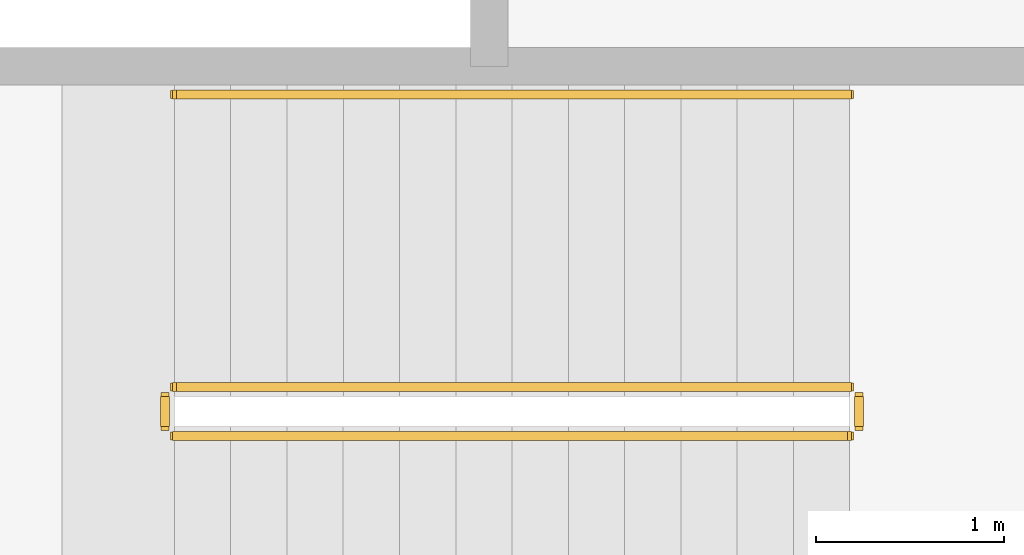
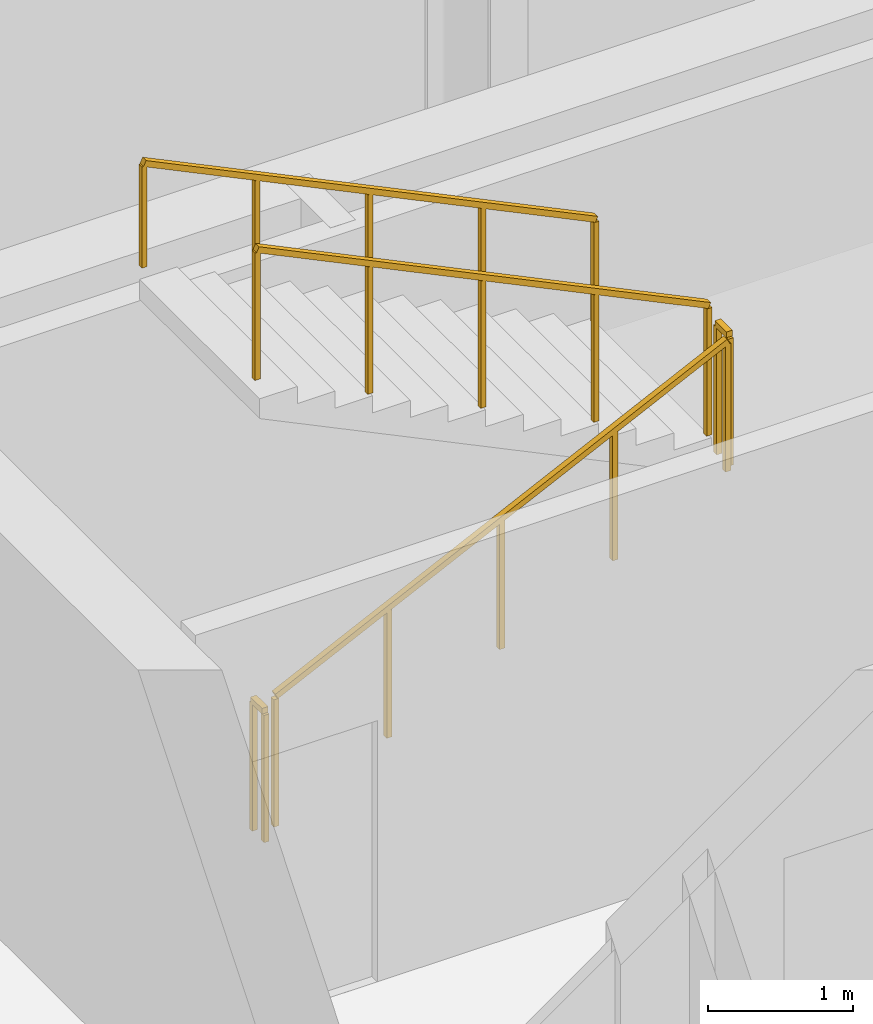
# One storey, part 24 of 25: 5 railings.
"""IFC4 building model written with IfcOpenShell, lengths in metres."""

import ifcopenshell
import ifcopenshell.guid

model = None  # the IFC model being written
_history = None  # IfcOwnerHistory: only IFC2X3 demands one
_inside = {}  # id of a spatial element -> (the spatial element, [elements in it])
_under = {}  # id of a project, library or spatial element -> (it, [spatial elements below it])
_declared = {}  # id of a project -> (the project, [libraries it declares])
_typed = {}  # id of a type object -> (the type object, [elements of that type])
_made_of = {}  # id of a material, layer set ... -> (it, [elements and type objects made of it])


def new_model(schema):
    """Start an empty IFC model of exactly this schema.

    Asked for "IFC4X3", IfcOpenShell would pick the latest addendum, in which some entities
    have other attributes; the version numbers below select the first issue.
    IFC2X3 requires an IfcOwnerHistory on every rooted entity: one is made here for all.
    """
    global model, _history
    if schema == "IFC4X3":
        model = ifcopenshell.file(schema_version=(4, 3, 0, 0))
    else:
        model = ifcopenshell.file(schema=schema)
    _inside.clear()
    _under.clear()
    _declared.clear()
    _typed.clear()
    _made_of.clear()
    _history = None
    if model.schema == "IFC2X3":
        org = make("IfcOrganization", Name="unknown")
        user = make(
            "IfcPersonAndOrganization",
            ThePerson=make("IfcPerson", FamilyName="unknown"),
            TheOrganization=org,
        )
        app = make(
            "IfcApplication",
            ApplicationDeveloper=org,
            Version="unknown",
            ApplicationFullName="unknown",
            ApplicationIdentifier="unknown",
        )
        _history = make(
            "IfcOwnerHistory",
            OwningUser=user,
            OwningApplication=app,
            ChangeAction="ADDED",
            CreationDate=0,
        )
    return model


def make(cls, **values):
    """One entity of the class cls with the attributes given. An attribute that is None is left unset."""
    return model.create_entity(
        cls, **{name: value for name, value in values.items() if value is not None}
    )


def rooted(cls, **values):
    """An entity with a GlobalId (a new one), such as an element, a storey or a relation."""
    return make(cls, GlobalId=ifcopenshell.guid.new(), OwnerHistory=_history, **values)


def si_unit(unit_type, name, prefix=None):
    """IfcSIUnit, for example si_unit("LENGTHUNIT", "METRE", prefix="MILLI")."""
    return make("IfcSIUnit", UnitType=unit_type, Prefix=prefix, Name=name)


def assignment(units):
    """IfcUnitAssignment: the units of a project."""
    return None if units is None else make("IfcUnitAssignment", Units=units)


def point(xyz):
    """IfcCartesianPoint."""
    return None if xyz is None else make("IfcCartesianPoint", Coordinates=xyz)


def direction(xyz):
    """IfcDirection."""
    return None if xyz is None else make("IfcDirection", DirectionRatios=xyz)


def frame(location, z_axis=None, x_axis=None):
    """IfcAxis2Placement3D, a coordinate frame: its origin and axes. An axis left out is left unset."""
    return make(
        "IfcAxis2Placement3D",
        Location=point(location),
        Axis=direction(z_axis),
        RefDirection=direction(x_axis),
    )


def frame_2d(location, x_axis=None):
    """IfcAxis2Placement2D, a coordinate frame in the plane: its origin and x axis."""
    return make(
        "IfcAxis2Placement2D", Location=point(location), RefDirection=direction(x_axis)
    )


def origin():
    """The frame at (0, 0, 0) with its axes left unset."""
    return frame((0.0, 0.0, 0.0))


def origin_2d():
    """The frame at (0, 0) in the plane with its x axis left unset."""
    return frame_2d((0.0, 0.0))


def place(relative_to, where):
    """IfcLocalPlacement: puts the frame where relative to a parent placement (None: the world)."""
    return make(
        "IfcLocalPlacement", PlacementRelTo=relative_to, RelativePlacement=where
    )


def context(
    kind, dimensions, precision=None, world=None, true_north=None, identifier=None
):
    """IfcGeometricRepresentationContext, for example the 3D "Model" context."""
    return make(
        "IfcGeometricRepresentationContext",
        ContextIdentifier=identifier,
        ContextType=kind,
        CoordinateSpaceDimension=dimensions,
        Precision=precision,
        WorldCoordinateSystem=world,
        TrueNorth=true_north,
    )


def subcontext(parent, identifier, kind, view, scale=None):
    """IfcGeometricRepresentationSubContext, for example "Body" below "Model"."""
    return make(
        "IfcGeometricRepresentationSubContext",
        ContextIdentifier=identifier,
        ContextType=kind,
        ParentContext=parent,
        TargetScale=scale,
        TargetView=view,
    )


def project(units=None, contexts=None):
    """IfcProject with its units and contexts."""
    return rooted(
        "IfcProject",
        Name="project",
        RepresentationContexts=contexts,
        UnitsInContext=assignment(units),
    )


def spatial(cls, under=None, at=None, **own):
    """A site, building, storey or space (cls), placed at a placement, below another one or the project."""
    s = rooted(cls, ObjectPlacement=at, **own)
    if under is not None:
        _under.setdefault(under.id(), (under, []))[1].append(s)
    return s


def profile(cls, at=None, kind="AREA", **sizes):
    """A parametric profile (cls). Its sizes go by their IFC names, for example OverallWidth=200.0."""
    return make(cls, ProfileType=kind, Position=at, **sizes)


def rectangle(**sizes):
    """IfcRectangleProfileDef."""
    return profile("IfcRectangleProfileDef", **sizes)


def extrude(swept, where, along, depth):
    """IfcExtrudedAreaSolid: the profile swept, set in the frame where, extruded along a direction by depth."""
    return make(
        "IfcExtrudedAreaSolid",
        SweptArea=swept,
        Position=where,
        ExtrudedDirection=direction(along),
        Depth=depth,
    )


def shape(context_of_items, identifier, shape_type, items):
    """IfcShapeRepresentation: the items that make up one representation, for example the "Body"."""
    return make(
        "IfcShapeRepresentation",
        ContextOfItems=context_of_items,
        RepresentationIdentifier=identifier,
        RepresentationType=shape_type,
        Items=items,
    )


def material(Name=None, Category=None):
    """IfcMaterial."""
    return make("IfcMaterial", Name=Name, Category=Category)


def made_of(thing, what):
    """Note that an element or type object is made of a material, layer set ...; save() writes the relation."""
    if what is not None:
        _made_of.setdefault(what.id(), (what, []))[1].append(thing)
    return thing


def type_object(cls, material=None, **own):
    """A type object (cls), such as IfcWallType, which elements share."""
    return made_of(rooted(cls, **own), material)


def element(
    cls,
    number,
    at=None,
    inside=None,
    cuts=None,
    type_object=None,
    material=None,
    context=None,
    identifier="Body",
    shape_type=None,
    held_by="IfcProductDefinitionShape",
    body=None,
    shapes=None,
    **own,
):
    """One element of the class cls, such as IfcWall. Its Tag is "e" and its number.

    at: its placement. inside: the storey or other place that contains it. cuts: it is an
    opening in that element (IfcRelVoidsElement). A single representation is given by context,
    identifier, shape_type and body (its items); several are given by shapes. held_by: the class
    of the entity that holds the representations. save() writes the other relations.
    """
    e = rooted(cls, Tag="e%d" % number, ObjectPlacement=at, **own)
    if body is not None:
        shapes = [shape(context, identifier, shape_type, body)]
    if shapes is not None:
        e.Representation = make(held_by, Representations=shapes)
    if inside is not None:
        _inside.setdefault(inside.id(), (inside, []))[1].append(e)
    if cuts is not None:
        rooted(
            "IfcRelVoidsElement", RelatingBuildingElement=cuts, RelatedOpeningElement=e
        )
    if type_object is not None:
        _typed.setdefault(type_object.id(), (type_object, []))[1].append(e)
    return made_of(e, material)


def aggregate(whole, parts):
    """IfcRelAggregates: a whole, such as a stair, and the parts it consists of."""
    return rooted("IfcRelAggregates", RelatingObject=whole, RelatedObjects=parts)


def save(model, path):
    """Write the relations noted so far, then the file.

    IfcRelAggregates (storeys below a building ...), IfcRelContainedInSpatialStructure (elements
    in a storey), IfcRelDefinesByType, IfcRelAssociatesMaterial and IfcRelDeclares: one each for
    every whole, place, type object, material and project.
    """
    for whole, parts in _under.values():
        aggregate(whole, parts)
    for where, things in _inside.values():
        rooted(
            "IfcRelContainedInSpatialStructure",
            RelatedElements=things,
            RelatingStructure=where,
        )
    for kind, things in _typed.values():
        rooted("IfcRelDefinesByType", RelatedObjects=things, RelatingType=kind)
    for what, things in _made_of.values():
        rooted("IfcRelAssociatesMaterial", RelatedObjects=things, RelatingMaterial=what)
    for by, libraries in _declared.values():
        rooted("IfcRelDeclares", RelatingContext=by, RelatedDefinitions=libraries)
    model.write(path)


model = new_model("IFC4")

# Units and contexts
model_context = context("Model", 3, precision=1e-05, world=origin(), true_north=direction((0.0, 1.0)))
body_context = subcontext(model_context, "Body", "Model", "MODEL_VIEW")
ifc_project = project(units=[si_unit("LENGTHUNIT", "METRE"), si_unit("AREAUNIT", "SQUARE_METRE"), si_unit("VOLUMEUNIT", "CUBIC_METRE"), si_unit("PLANEANGLEUNIT", "RADIAN"), si_unit("MASSUNIT", "GRAM", prefix="KILO"), si_unit("THERMODYNAMICTEMPERATUREUNIT", "KELVIN"), si_unit("POWERUNIT", "WATT")], contexts=[model_context])

# Site, building, storey
site_placement = place(None, origin())
site = spatial("IfcSite", under=ifc_project, at=site_placement, CompositionType="ELEMENT")
building_placement = place(site_placement, origin())
building = spatial("IfcBuilding", under=site, at=building_placement, Name="Svarakhadi Broadcast Tower", CompositionType="ELEMENT")
storey_placement = place(building_placement, frame((0.0, 0.0, 231.14990234375)))
storey = spatial("IfcBuildingStorey", under=building, at=storey_placement, Name="L57", CompositionType="ELEMENT", Elevation=231.14990234375)

# Railings
ifc_material = material(Name="Anodised Bronze Aluminium AA 6063-T6", Category="aluminium")
railing_type_1 = type_object("IfcRailingType", Name="Guard_Stair_GR01", PredefinedType="GUARDRAIL", material=ifc_material)
railing_1_placement = place(storey_placement, frame((7.97998046875, 24.969970703125, 0.144287109375)))
element("IfcRailing", 1, at=railing_1_placement, inside=storey, type_object=railing_type_1, Name="L57 ST-01 stair guard 1", PredefinedType="GUARDRAIL", context=body_context, shape_type="SweptSolid", body=[
    extrude(rectangle(XDim=0.048095703125, YDim=0.048095703125, at=origin_2d()), frame((0.0, 0.0, 1.09619140625), z_axis=(0.901262522062, 0.0, 0.433273431364), x_axis=(0.0, 1.0, 0.0)), (0.0, 0.0, 1.0), 3.994384765625),
    extrude(rectangle(XDim=0.0419921875, YDim=0.0419921875, at=origin_2d()), origin(), (0.0, 0.0, 1.0), 1.072021484375),
    extrude(rectangle(XDim=0.0419921875, YDim=0.0419921875, at=origin_2d()), frame((0.89990234375, 0.0, 0.4326171875)), (0.0, 0.0, 1.0), 1.072021484375),
    extrude(rectangle(XDim=0.0419921875, YDim=0.0419921875, at=origin_2d()), frame((1.800048828125, 0.0, 0.865234375)), (0.0, 0.0, 1.0), 1.072021484375),
    extrude(rectangle(XDim=0.0419921875, YDim=0.0419921875, at=origin_2d()), frame((2.7001953125, 0.0, 1.298095703125)), (0.0, 0.0, 1.0), 1.072021484375),
    extrude(rectangle(XDim=0.0419921875, YDim=0.0419921875, at=origin_2d()), frame((3.60009765625, 0.0, 1.730712890625)), (0.0, 0.0, 1.0), 1.072021484375),
])
railing_2_placement = place(storey_placement, frame((11.6298828125, 25.02001953125, 1.875)))
element("IfcRailing", 2, at=railing_2_placement, inside=storey, type_object=railing_type_1, Name="L57 ST-01 stair guard 2", PredefinedType="GUARDRAIL", context=body_context, shape_type="SweptSolid", body=[
    extrude(rectangle(XDim=0.048095703125, YDim=0.048095703125, at=origin_2d()), frame((0.0, 0.0, 1.09619140625), z_axis=(0.0, 1.0, 0.0), x_axis=(-1.0, 0.0, 0.0)), (0.0, 0.0, 1.0), 0.159912109375),
    extrude(rectangle(XDim=0.0419921875, YDim=0.0419921875, at=origin_2d()), origin(), (0.0, 0.0, 1.0), 1.072021484375),
    extrude(rectangle(XDim=0.0419921875, YDim=0.0419921875, at=origin_2d()), frame((0.0, 0.159912109375, 0.0)), (0.0, 0.0, 1.0), 1.072021484375),
])
railing_3_placement = place(storey_placement, frame((11.580078125, 25.22998046875, 2.019287109375)))
element("IfcRailing", 3, at=railing_3_placement, inside=storey, type_object=railing_type_1, Name="L57 ST-01 stair guard 3", PredefinedType="GUARDRAIL", context=body_context, shape_type="SweptSolid", body=[
    extrude(rectangle(XDim=0.048095703125, YDim=0.048095703125, at=origin_2d()), frame((0.0, 0.0, 1.09619140625), z_axis=(-0.901262522062, 0.0, 0.433273431364), x_axis=(0.0, -1.0, 0.0)), (0.0, 0.0, 1.0), 3.994384765625),
    extrude(rectangle(XDim=0.0419921875, YDim=0.0419921875, at=origin_2d()), origin(), (0.0, 0.0, 1.0), 1.072021484375),
    extrude(rectangle(XDim=0.0419921875, YDim=0.0419921875, at=origin_2d()), frame((-0.89990234375, 0.0, 0.4326171875)), (0.0, 0.0, 1.0), 1.072021484375),
    extrude(rectangle(XDim=0.0419921875, YDim=0.0419921875, at=origin_2d()), frame((-1.800048828125, 0.0, 0.865234375)), (0.0, 0.0, 1.0), 1.072021484375),
    extrude(rectangle(XDim=0.0419921875, YDim=0.0419921875, at=origin_2d()), frame((-2.7001953125, 0.0, 1.298095703125)), (0.0, 0.0, 1.0), 1.072021484375),
    extrude(rectangle(XDim=0.0419921875, YDim=0.0419921875, at=origin_2d()), frame((-3.60009765625, 0.0, 1.730712890625)), (0.0, 0.0, 1.0), 1.072021484375),
])
railing_4_placement = place(storey_placement, frame((7.929931640625, 25.02001953125, 0.0)))
element("IfcRailing", 4, at=railing_4_placement, inside=storey, type_object=railing_type_1, Name="L57 ST-01 stair guard 4", PredefinedType="GUARDRAIL", context=body_context, shape_type="SweptSolid", body=[
    extrude(rectangle(XDim=0.048095703125, YDim=0.048095703125, at=origin_2d()), frame((0.0, 0.0, 1.09619140625), z_axis=(0.0, 1.0, 0.0), x_axis=(-1.0, 0.0, 0.0)), (0.0, 0.0, 1.0), 0.159912109375),
    extrude(rectangle(XDim=0.0419921875, YDim=0.0419921875, at=origin_2d()), origin(), (0.0, 0.0, 1.0), 1.072021484375),
    extrude(rectangle(XDim=0.0419921875, YDim=0.0419921875, at=origin_2d()), frame((0.0, 0.159912109375, 0.0)), (0.0, 0.0, 1.0), 1.072021484375),
])
railing_type_2 = type_object("IfcRailingType", Name="Handrail_Stair_HR01", PredefinedType="HANDRAIL", material=ifc_material)
railing_5_placement = place(storey_placement, frame((11.580078125, 26.7900390625, 2.019287109375)))
element("IfcRailing", 5, at=railing_5_placement, inside=storey, type_object=railing_type_2, Name="L57 ST-01 stair handrail 2", PredefinedType="HANDRAIL", context=body_context, shape_type="SweptSolid", body=[
    extrude(rectangle(XDim=0.048095703125, YDim=0.048095703125, at=origin_2d()), frame((0.0, 0.0, 0.8759765625), z_axis=(-0.901262522062, 0.0, 0.433273431364), x_axis=(0.0, -1.0, 0.0)), (0.0, 0.0, 1.0), 3.994384765625),
    extrude(rectangle(XDim=0.0419921875, YDim=0.0419921875, at=origin_2d()), origin(), (0.0, 0.0, 1.0), 0.851806640625),
    extrude(rectangle(XDim=0.0419921875, YDim=0.0419921875, at=origin_2d()), frame((-0.89990234375, 0.0, 0.4326171875)), (0.0, 0.0, 1.0), 0.851806640625),
    extrude(rectangle(XDim=0.0419921875, YDim=0.0419921875, at=origin_2d()), frame((-1.800048828125, 0.0, 0.865234375)), (0.0, 0.0, 1.0), 0.851806640625),
    extrude(rectangle(XDim=0.0419921875, YDim=0.0419921875, at=origin_2d()), frame((-2.7001953125, 0.0, 1.298095703125)), (0.0, 0.0, 1.0), 0.851806640625),
    extrude(rectangle(XDim=0.0419921875, YDim=0.0419921875, at=origin_2d()), frame((-3.60009765625, 0.0, 1.730712890625)), (0.0, 0.0, 1.0), 0.851806640625),
])

save(model, "model.ifc")
